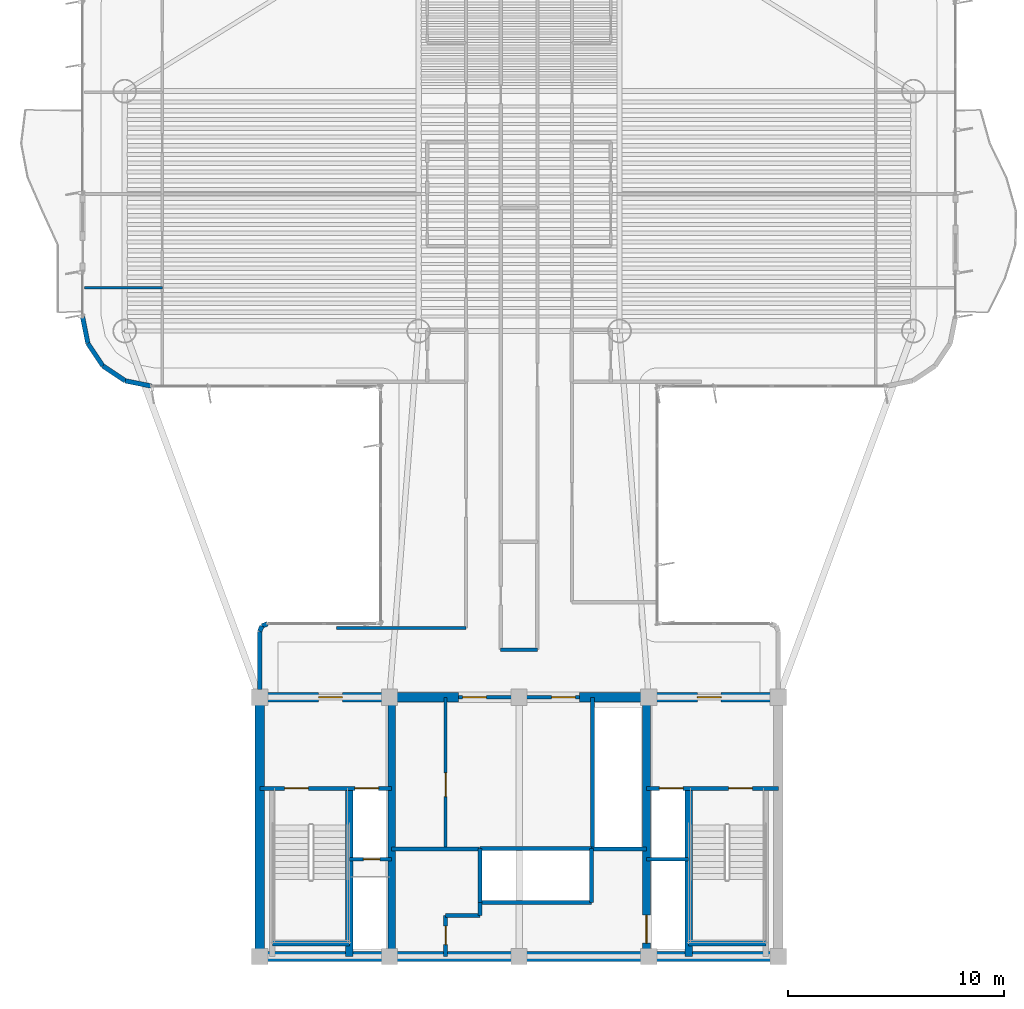
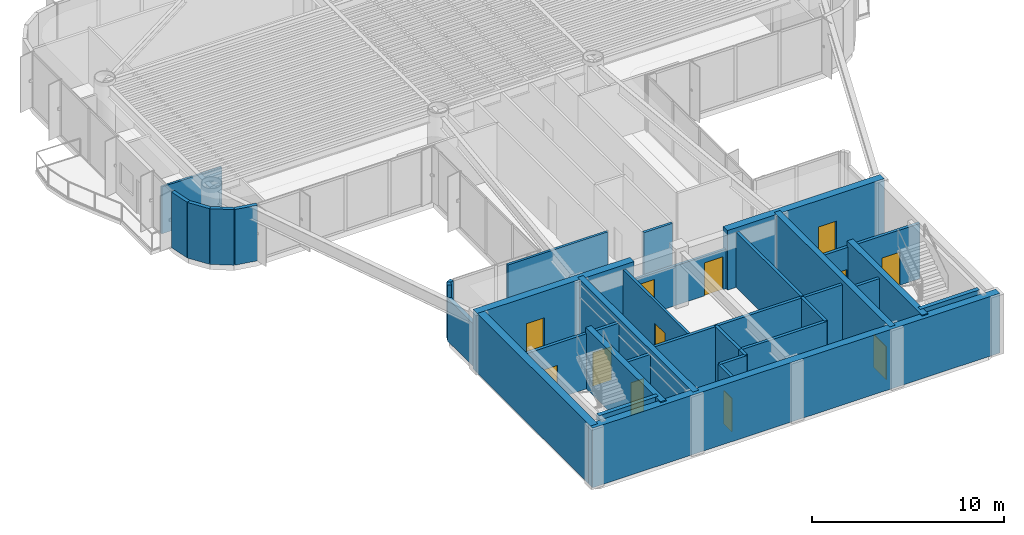
# One storey, part 9 of 15: 36 walls, 12 doors, 12 openings.
"""IFC4 building model written with IfcOpenShell, lengths in metres."""

from ifc_helpers import new_model, si_unit, direction, frame, frame_2d, origin, origin_2d, place, context, subcontext, project, spatial, rectangle, extrude, source, transform, mapped, material, layer, layer_set, type_object, element, fill, save


model = new_model("IFC4")

# Units and contexts
model_context = context("Model", 3, precision=1e-05, world=origin(), true_north=direction((0.0, 1.0)))
body_context = subcontext(model_context, "Body", "Model", "MODEL_VIEW")
ifc_project = project(units=[si_unit("LENGTHUNIT", "METRE"), si_unit("AREAUNIT", "SQUARE_METRE"), si_unit("VOLUMEUNIT", "CUBIC_METRE"), si_unit("PLANEANGLEUNIT", "RADIAN"), si_unit("MASSUNIT", "GRAM", prefix="KILO")], contexts=[model_context])

# Site, building, storey
site_placement = place(None, origin())
site = spatial("IfcSite", under=ifc_project, at=site_placement, CompositionType="ELEMENT")
building_placement = place(site_placement, origin())
building = spatial("IfcBuilding", under=site, at=building_placement, Name="Brelvock Crest Care Tower", CompositionType="ELEMENT")
storey_placement = place(building_placement, frame((0.0, 0.0, 156.419921875)))
storey = spatial("IfcBuildingStorey", under=building, at=storey_placement, Name="L39", CompositionType="ELEMENT", Elevation=156.419921875)

# Walls
ifc_material_1 = material(Name="Concrete S65 (65 MPa)", Category="concrete")
ifc_layer_1 = layer(ifc_material_1, 0.449951171875, Name="WL-CS3")
ifc_layer_set_1 = layer_set([ifc_layer_1], Name="Concrete S65 (65 MPa)")
wall_type_1 = type_object("IfcWallType", Name="WL-CS3", PredefinedType="SHEAR", material=ifc_layer_set_1)
wall_1_placement = place(storey_placement, frame((48.22509765625, 6.0, 0.0), z_axis=(0.0, 0.0, 1.0), x_axis=(-1.0, 0.0, 0.0)))
element("IfcWall", 1, at=wall_1_placement, inside=storey, type_object=wall_type_1, Name="L39 Core South Shear Wall", PredefinedType="SHEAR", context=body_context, shape_type="SweptSolid", body=[
    extrude(rectangle(XDim=24.4501953125, YDim=0.449951171875, at=frame_2d((12.22509765625, 0.0))), origin(), (0.0, 0.0, 1.0), 3.780029296875),
])
wall_2_placement = place(storey_placement, frame((24.0, 6.0, 0.0), z_axis=(0.0, 0.0, 1.0), x_axis=(0.0, 1.0, 0.0)))
element("IfcWall", 2, at=wall_2_placement, inside=storey, type_object=wall_type_1, Name="L39 Core West Shear Wall", PredefinedType="SHEAR", context=body_context, shape_type="SweptSolid", body=[
    extrude(rectangle(XDim=12.0, YDim=0.449951171875, at=frame_2d((6.0, 0.0))), origin(), (0.0, 0.0, 1.0), 3.780029296875),
])

# Wall, opening, door
wall_3_placement = place(storey_placement, frame((23.77490234375, 18.0, 0.0), z_axis=(0.0, 0.0, 1.0), x_axis=(1.0, 0.0, 0.0)))
wall_3 = element("IfcWall", 3, at=wall_3_placement, inside=storey, type_object=wall_type_1, Name="L39 Core North-West Shear Wall", PredefinedType="SHEAR", context=body_context, shape_type="SweptSolid", body=[
    extrude(rectangle(XDim=9.425048828125, YDim=0.449951171875, at=frame_2d((4.71240234375, 0.0))), origin(), (0.0, 0.0, 1.0), 3.780029296875),
])
opening_1_placement = place(wall_3_placement, frame((2.949951171875, 0.0, 0.0)))
opening_1 = element("IfcOpeningElement", 4, at=opening_1_placement, cuts=wall_3, Name="Opening FD-1", PredefinedType="OPENING", context=body_context, shape_type="SweptSolid", body=[
    extrude(rectangle(XDim=1.10009765625, YDim=2.10009765625, at=origin_2d()), frame((0.550048828125, 0.23486328125, 1.050048828125), z_axis=(0.0, -1.0, 0.0), x_axis=(1.0, 0.0, 0.0)), (0.0, 0.0, 1.0), 0.469970703125),
])
ifc_material_2 = material(Name="Steel Grade 350", Category="steel")
door_type_1 = type_object("IfcDoorType", Name="DR-FFL1", OperationType="NOTDEFINED", PredefinedType="DOOR", material=ifc_material_2)
shared_shape_1 = source(origin(), body_context, "Body", "SweptSolid", [
    extrude(rectangle(XDim=1.10009765625, YDim=2.10009765625, at=origin_2d()), frame((0.550048828125, 0.02490234375, 1.050048828125), z_axis=(0.0, -1.0, 0.0), x_axis=(1.0, 0.0, 0.0)), (0.0, 0.0, 1.0), 0.050048828125),
])
door_1_placement = place(opening_1_placement, origin())
door_1 = element("IfcDoor", 5, at=door_1_placement, inside=storey, type_object=door_type_1, Name="L39 Firefighting Lobby FFL-1 Exit Door", OperationType="SINGLE_SWING_LEFT", OverallHeight=2.10009765625, OverallWidth=1.10009765625, PredefinedType="DOOR", context=body_context, shape_type="MappedRepresentation", body=[
    mapped(shared_shape_1, transform((0.0, 0.0, 0.0), x_axis=(1.0, 0.0, 0.0), y_axis=(0.0, 1.0, 0.0), z_axis=(0.0, 0.0, 1.0), scale=1.0)),
])
fill(opening_1, door_1)

wall_4_placement = place(storey_placement, frame((38.800048828125, 18.0, 0.0), z_axis=(0.0, 0.0, 1.0), x_axis=(1.0, 0.0, 0.0)))
wall_4 = element("IfcWall", 6, at=wall_4_placement, inside=storey, type_object=wall_type_1, Name="L39 Core North-East Shear Wall", PredefinedType="SHEAR", context=body_context, shape_type="SweptSolid", body=[
    extrude(rectangle(XDim=9.425048828125, YDim=0.449951171875, at=frame_2d((4.71240234375, 0.0))), origin(), (0.0, 0.0, 1.0), 3.780029296875),
])
opening_2_placement = place(wall_4_placement, frame((5.449951171875, 0.0, 0.0)))
opening_2 = element("IfcOpeningElement", 7, at=opening_2_placement, cuts=wall_4, Name="Opening FD-1", PredefinedType="OPENING", context=body_context, shape_type="SweptSolid", body=[
    extrude(rectangle(XDim=1.10009765625, YDim=2.10009765625, at=origin_2d()), frame((0.550048828125, 0.23486328125, 1.050048828125), z_axis=(0.0, -1.0, 0.0), x_axis=(1.0, 0.0, 0.0)), (0.0, 0.0, 1.0), 0.469970703125),
])
door_2_placement = place(opening_2_placement, origin())
door_2 = element("IfcDoor", 8, at=door_2_placement, inside=storey, type_object=door_type_1, Name="L39 Firefighting Lobby FFL-2 Exit Door", OperationType="SINGLE_SWING_RIGHT", OverallHeight=2.10009765625, OverallWidth=1.10009765625, PredefinedType="DOOR", context=body_context, shape_type="MappedRepresentation", body=[
    mapped(shared_shape_1, transform((0.0, 0.0, 0.0), x_axis=(1.0, 0.0, 0.0), y_axis=(0.0, 1.0, 0.0), z_axis=(0.0, 0.0, 1.0), scale=1.0)),
])
fill(opening_2, door_2)

# Wall
ifc_material_3 = material(Name="Concrete S80 (80 MPa)", Category="concrete")
ifc_layer_2 = layer(ifc_material_3, 0.35009765625, Name="WL-CS5")
ifc_layer_set_2 = layer_set([ifc_layer_2], Name="Concrete S80 (80 MPa)")
wall_type_2 = type_object("IfcWallType", Name="WL-CS5", PredefinedType="SHEAR", material=ifc_layer_set_2)
wall_5_placement = place(storey_placement, frame((30.10009765625, 6.0, 0.0), z_axis=(0.0, 0.0, 1.0), x_axis=(0.0, 1.0, 0.0)))
element("IfcWall", 9, at=wall_5_placement, inside=storey, type_object=wall_type_2, Name="L39 Core Internal Web Wall West", PredefinedType="SHEAR", context=body_context, shape_type="SweptSolid", body=[
    extrude(rectangle(XDim=12.0, YDim=0.35009765625, at=frame_2d((6.0, 0.0))), origin(), (0.0, 0.0, 1.0), 3.780029296875),
])

# Wall, opening, door
wall_6_placement = place(storey_placement, frame((41.89990234375, 18.0, 0.0), z_axis=(0.0, 0.0, 1.0), x_axis=(0.0, -1.0, 0.0)))
wall_6 = element("IfcWall", 10, at=wall_6_placement, inside=storey, type_object=wall_type_2, Name="L39 Core Internal Web Wall East", PredefinedType="SHEAR", context=body_context, shape_type="SweptSolid", body=[
    extrude(rectangle(XDim=12.0, YDim=0.35009765625, at=frame_2d((6.0, 0.0))), origin(), (0.0, 0.0, 1.0), 3.780029296875),
])
opening_3_placement = place(wall_6_placement, frame((10.080078125, 0.0, 0.0)))
opening_3 = element("IfcOpeningElement", 11, at=opening_3_placement, cuts=wall_6, Name="Opening LD-S", PredefinedType="OPENING", context=body_context, shape_type="SweptSolid", body=[
    extrude(rectangle(XDim=1.300048828125, YDim=2.10009765625, at=origin_2d()), frame((0.64990234375, 0.18505859375, 1.050048828125), z_axis=(0.0, -1.0, 0.0), x_axis=(1.0, 0.0, 0.0)), (0.0, 0.0, 1.0), 0.3701171875),
])
door_type_2 = type_object("IfcDoorType", Name="DR-LDS1", OperationType="NOTDEFINED", PredefinedType="DOOR", material=ifc_material_2)
shared_shape_2 = source(origin(), body_context, "Body", "SweptSolid", [
    extrude(rectangle(XDim=1.300048828125, YDim=2.10009765625, at=origin_2d()), frame((0.64990234375, 0.02490234375, 1.050048828125), z_axis=(0.0, -1.0, 0.0), x_axis=(1.0, 0.0, 0.0)), (0.0, 0.0, 1.0), 0.050048828125),
])
door_3_placement = place(opening_3_placement, origin())
door_3 = element("IfcDoor", 12, at=door_3_placement, inside=storey, type_object=door_type_2, Name="L39 Clinical Bed Lift SL-1 Landing Door", OperationType="SLIDING_TO_LEFT", OverallHeight=2.10009765625, OverallWidth=1.300048828125, PredefinedType="DOOR", context=body_context, shape_type="MappedRepresentation", body=[
    mapped(shared_shape_2, transform((0.0, 0.0, 0.0), x_axis=(1.0, 0.0, 0.0), y_axis=(0.0, 1.0, 0.0), z_axis=(0.0, 0.0, 1.0), scale=1.0)),
])
fill(opening_3, door_3)

# Walls
for number, where, z_axis, x_axis, name in (
    (13, (28.14990234375, 6.0, 0.0), (0.0, 0.0, 1.0), (0.0, 1.0, 0.0), "L39 Core Stair ST-1 East Shear Wall"),
    (14, (43.85009765625, 6.0, 0.0), (0.0, 0.0, 1.0), (0.0, 1.0, 0.0), "L39 Core Stair ST-2 West Shear Wall"),
):
    element("IfcWall", number, at=place(storey_placement, frame(where, z_axis=z_axis, x_axis=x_axis)), inside=storey, type_object=wall_type_2, Name=name, PredefinedType="SHEAR", context=body_context, shape_type="SweptSolid", body=[
        extrude(rectangle(XDim=7.780029296875, YDim=0.35009765625, at=frame_2d((3.89013671875, 0.0))), origin(), (0.0, 0.0, 1.0), 3.85009765625),
    ])
ifc_layer_3 = layer(ifc_material_3, 0.25, Name="WL-CS6")
ifc_layer_set_3 = layer_set([ifc_layer_3], Name="Concrete S80 (80 MPa)")
wall_type_3 = type_object("IfcWallType", Name="WL-CS6", PredefinedType="SHEAR", material=ifc_layer_set_3)
for number, where, z_axis, x_axis, name in (
    (15, (24.580078125, 6.6201171875, 0.0), (0.0, 0.0, 1.0), (1.0, 0.0, 0.0), "L39 Core Stair ST-1 South Shear Wall"),
    (16, (43.85009765625, 6.6201171875, 0.0), (0.0, 0.0, 1.0), (1.0, 0.0, 0.0), "L39 Core Stair ST-2 South Shear Wall"),
):
    element("IfcWall", number, at=place(storey_placement, frame(where, z_axis=z_axis, x_axis=x_axis)), inside=storey, type_object=wall_type_3, Name=name, PredefinedType="SHEAR", context=body_context, shape_type="SweptSolid", body=[
        extrude(rectangle(XDim=3.56982421875, YDim=0.25, at=frame_2d((1.784912109375, 0.0))), origin(), (0.0, 0.0, 1.0), 3.85009765625),
    ])
ifc_material_4 = material(Name="Precast concrete N40 (40 MPa)", Category="concrete")
ifc_layer_4 = layer(ifc_material_4, 0.215087890625, Name="WL-EX2")
ifc_layer_set_4 = layer_set([ifc_layer_4], Name="Precast concrete N40 (40 MPa)")
wall_type_4 = type_object("IfcWallType", Name="WL-EX2", PredefinedType="SOLIDWALL", material=ifc_layer_set_4)
wall_7_placement = place(storey_placement, frame((24.0, 18.35498046875, 0.0), z_axis=(0.0, 0.0, 1.0), x_axis=(0.0, 1.0, 0.0)))
element("IfcWall", 17, at=wall_7_placement, inside=storey, type_object=wall_type_4, Name="L39 Rounded Corner Wall 07", PredefinedType="SOLIDWALL", context=body_context, shape_type="SweptSolid", body=[
    extrude(rectangle(XDim=2.695068359375, YDim=0.215087890625, at=frame_2d((1.34765625, 0.0))), origin(), (0.0, 0.0, 1.0), 2.718017578125),
])
wall_8_placement = place(storey_placement, frame((24.0, 21.050048828125, 0.0), z_axis=(0.0, 0.0, 1.0), x_axis=(0.382673670509, 0.923883575944, 0.0)))
element("IfcWall", 18, at=wall_8_placement, inside=storey, type_object=wall_type_4, Name="L39 Rounded Corner Wall 08", PredefinedType="SOLIDWALL", context=body_context, shape_type="SweptSolid", body=[
    extrude(rectangle(XDim=0.26806640625, YDim=0.215087890625, at=frame_2d((0.134033203125, 0.0))), origin(), (0.0, 0.0, 1.0), 3.530029296875),
])
wall_9_placement = place(storey_placement, frame((24.1025390625, 21.297607421875, 0.0), z_axis=(0.0, 0.0, 1.0), x_axis=(0.924205486139, 0.381895560841, 0.0)))
element("IfcWall", 19, at=wall_9_placement, inside=storey, type_object=wall_type_4, Name="L39 Rounded Corner Wall 09", PredefinedType="SOLIDWALL", context=body_context, shape_type="SweptSolid", body=[
    extrude(rectangle(XDim=0.267822265625, YDim=0.215087890625, at=frame_2d((0.1337890625, 0.0))), origin(), (0.0, 0.0, 1.0), 3.530029296875),
])
for number, where, z_axis, x_axis, name in (
    (20, (19.0, 32.39990234375, 0.0), (0.0, 0.0, 1.0), (-0.980775717779, 0.195138390419, 0.0), "L39 Rounded Corner Wall 13"),
    (21, (17.775390625, 32.6435546875, 0.0), (0.0, 0.0, 1.0), (-0.831387912822, 0.555692485475, 0.0), "L39 Rounded Corner Wall 14"),
    (22, (16.7373046875, 33.33740234375, 0.0), (0.0, 0.0, 1.0), (-0.555557312883, 0.831478245117, 0.0), "L39 Rounded Corner Wall 15"),
    (23, (16.043701171875, 34.37548828125, 0.0), (0.0, 0.0, 1.0), (-0.195138390419, 0.980775717779, 0.0), "L39 Rounded Corner Wall 16"),
):
    element("IfcWall", number, at=place(storey_placement, frame(where, z_axis=z_axis, x_axis=x_axis)), inside=storey, type_object=wall_type_4, Name=name, PredefinedType="SOLIDWALL", context=body_context, shape_type="SweptSolid", body=[
        extrude(rectangle(XDim=1.24853515625, YDim=0.215087890625, at=frame_2d((0.624267578125, 0.0))), origin(), (0.0, 0.0, 1.0), 3.530029296875),
    ])

# Wall, opening, door
ifc_material_5 = material(Name="Masonry Blockwork Acoustic Partition", Category="masonry")
ifc_layer_5 = layer(ifc_material_5, 0.14990234375, Name="WL-INT1")
ifc_layer_set_5 = layer_set([ifc_layer_5], Name="Masonry Blockwork Acoustic Partition")
wall_type_5 = type_object("IfcWallType", Name="WL-INT1", PredefinedType="PARTITIONING", material=ifc_layer_set_5)
wall_10_placement = place(storey_placement, frame((32.60009765625, 11.0, 0.0), z_axis=(0.0, 0.0, 1.0), x_axis=(0.0, 1.0, 0.0)))
wall_10 = element("IfcWall", 24, at=wall_10_placement, inside=storey, type_object=wall_type_5, Name="L39 Interior Wall WL-CRCL-E-L39", PredefinedType="PARTITIONING", context=body_context, shape_type="SweptSolid", body=[
    extrude(rectangle(XDim=7.0, YDim=0.14990234375, at=frame_2d((3.5, 0.0))), origin(), (0.0, 0.0, 1.0), 3.5),
])
opening_4_placement = place(wall_10_placement, frame((2.39990234375, 0.0, 0.0)))
opening_4 = element("IfcOpeningElement", 25, at=opening_4_placement, cuts=wall_10, Name="Opening PD-1", PredefinedType="OPENING", context=body_context, shape_type="SweptSolid", body=[
    extrude(rectangle(XDim=1.10009765625, YDim=2.10009765625, at=origin_2d()), frame((0.550048828125, 0.0849609375, 1.050048828125), z_axis=(0.0, -1.0, 0.0), x_axis=(1.0, 0.0, 0.0)), (0.0, 0.0, 1.0), 0.169921875),
])
door_type_3 = type_object("IfcDoorType", Name="DR-PLT1", OperationType="NOTDEFINED", PredefinedType="DOOR", material=ifc_material_2)
shared_shape_3 = source(origin(), body_context, "Body", "SweptSolid", [
    extrude(rectangle(XDim=1.10009765625, YDim=2.10009765625, at=origin_2d()), frame((0.550048828125, 0.02490234375, 1.050048828125), z_axis=(0.0, -1.0, 0.0), x_axis=(1.0, 0.0, 0.0)), (0.0, 0.0, 1.0), 0.050048828125),
])
door_4_placement = place(opening_4_placement, origin())
door_4 = element("IfcDoor", 26, at=door_4_placement, inside=storey, type_object=door_type_3, Name="DR-CRCL1-L39", OperationType="SINGLE_SWING_LEFT", OverallHeight=2.10009765625, OverallWidth=1.10009765625, PredefinedType="DOOR", context=body_context, shape_type="MappedRepresentation", body=[
    mapped(shared_shape_3, transform((0.0, 0.0, 0.0), x_axis=(1.0, 0.0, 0.0), y_axis=(0.0, 1.0, 0.0), z_axis=(0.0, 0.0, 1.0), scale=1.0)),
])
fill(opening_4, door_4)

# Wall, openings, doors
wall_11_placement = place(storey_placement, frame((33.199951171875, 18.0, 0.0), z_axis=(0.0, 0.0, 1.0), x_axis=(1.0, 0.0, 0.0)))
wall_11 = element("IfcWall", 27, at=wall_11_placement, inside=storey, type_object=wall_type_5, Name="L39 Interior Wall WL-CORE-NPORT-L39", PredefinedType="PARTITIONING", context=body_context, shape_type="SweptSolid", body=[
    extrude(rectangle(XDim=5.60009765625, YDim=0.14990234375, at=frame_2d((2.800048828125, 0.0))), origin(), (0.0, 0.0, 1.0), 2.51513671875),
])
opening_5_placement = place(wall_11_placement, frame((0.18994140625, 0.0, 0.0)))
opening_5 = element("IfcOpeningElement", 28, at=opening_5_placement, cuts=wall_11, Name="Opening FD-1", PredefinedType="OPENING", context=body_context, shape_type="SweptSolid", body=[
    extrude(rectangle(XDim=1.10009765625, YDim=2.10009765625, at=origin_2d()), frame((0.550048828125, 0.0849609375, 1.050048828125), z_axis=(0.0, -1.0, 0.0), x_axis=(1.0, 0.0, 0.0)), (0.0, 0.0, 1.0), 0.169921875),
])
opening_6_placement = place(wall_11_placement, frame((4.31005859375, 0.0, 0.0)))
opening_6 = element("IfcOpeningElement", 29, at=opening_6_placement, cuts=wall_11, Name="Opening FD-1", PredefinedType="OPENING", context=body_context, shape_type="SweptSolid", body=[
    extrude(rectangle(XDim=1.10009765625, YDim=2.10009765625, at=origin_2d()), frame((0.550048828125, 0.0849609375, 1.050048828125), z_axis=(0.0, -1.0, 0.0), x_axis=(1.0, 0.0, 0.0)), (0.0, 0.0, 1.0), 0.169921875),
])
door_5_placement = place(opening_5_placement, origin())
door_5 = element("IfcDoor", 30, at=door_5_placement, inside=storey, type_object=door_type_1, Name="L39 Lift Lobby North Smoke Door West", OperationType="SINGLE_SWING_LEFT", OverallHeight=2.10009765625, OverallWidth=1.10009765625, PredefinedType="DOOR", context=body_context, shape_type="MappedRepresentation", body=[
    mapped(shared_shape_1, transform((0.0, 0.0, 0.0), x_axis=(1.0, 0.0, 0.0), y_axis=(0.0, 1.0, 0.0), z_axis=(0.0, 0.0, 1.0), scale=1.0)),
])
fill(opening_5, door_5)
door_6_placement = place(opening_6_placement, origin())
door_6 = element("IfcDoor", 31, at=door_6_placement, inside=storey, type_object=door_type_1, Name="L39 Lift Lobby North Smoke Door East", OperationType="SINGLE_SWING_RIGHT", OverallHeight=2.10009765625, OverallWidth=1.10009765625, PredefinedType="DOOR", context=body_context, shape_type="MappedRepresentation", body=[
    mapped(shared_shape_1, transform((0.0, 0.0, 0.0), x_axis=(1.0, 0.0, 0.0), y_axis=(0.0, 1.0, 0.0), z_axis=(0.0, 0.0, 1.0), scale=1.0)),
])
fill(opening_6, door_6)

# Walls
wall_12_placement = place(storey_placement, frame((27.5576171875, 21.199951171875, 0.0), z_axis=(0.0, 0.0, 1.0), x_axis=(1.0, 0.0, 0.0)))
element("IfcWall", 32, at=wall_12_placement, inside=storey, type_object=wall_type_5, Name="L39 Interior Wall WL-BX-L39-THRW-S", PredefinedType="PARTITIONING", context=body_context, shape_type="SweptSolid", body=[
    extrude(rectangle(XDim=5.992431640625, YDim=0.14990234375, at=frame_2d((2.99609375, 0.0))), origin(), (0.0, 0.0, 1.0), 3.5),
])
ifc_material_6 = material(Name="Gypsum Plasterboard Partition", Category="gypsum")
ifc_layer_6 = layer(ifc_material_6, 0.1201171875, Name="WL-INT2")
ifc_layer_set_6 = layer_set([ifc_layer_6], Name="Gypsum Plasterboard Partition")
wall_type_6 = type_object("IfcWallType", Name="WL-INT2", PredefinedType="PARTITIONING", material=ifc_layer_set_6)
wall_13_placement = place(storey_placement, frame((15.8798828125, 36.944091796875, 0.0), z_axis=(0.0, 0.0, 1.0), x_axis=(1.0, 0.0, 0.0)))
element("IfcWall", 33, at=wall_13_placement, inside=storey, type_object=wall_type_6, Name="L39 Interior Wall WL-UBSP-L39-WF1", PredefinedType="PARTITIONING", context=body_context, shape_type="SweptSolid", body=[
    extrude(rectangle(XDim=3.610107421875, YDim=0.1201171875, at=frame_2d((1.80517578125, 0.0))), origin(), (0.0, 0.0, 1.0), 2.982177734375),
])
ifc_layer_7 = layer(ifc_material_6, 0.159912109375, Name="WL-PLM1")
ifc_layer_set_7 = layer_set([ifc_layer_7], Name="Gypsum Plasterboard Partition")
wall_type_7 = type_object("IfcWallType", Name="WL-PLM1", PredefinedType="PLUMBINGWALL", material=ifc_layer_set_7)
wall_14_placement = place(storey_placement, frame((35.14990234375, 20.199951171875, 0.0), z_axis=(0.0, 0.0, 1.0), x_axis=(1.0, 0.0, 0.0)))
element("IfcWall", 34, at=wall_14_placement, inside=storey, type_object=wall_type_7, Name="L39 Interior Wall WL-BX-L39-ISWC-S", PredefinedType="PLUMBINGWALL", context=body_context, shape_type="SweptSolid", body=[
    extrude(rectangle(XDim=1.7001953125, YDim=0.159912109375, at=frame_2d((0.85009765625, 0.0))), origin(), (0.0, 0.0, 1.0), 3.5),
])
ifc_layer_8 = layer(ifc_material_5, 0.179931640625, Name="WL-SHF1")
ifc_layer_set_8 = layer_set([ifc_layer_8], Name="Masonry Blockwork Acoustic Partition")
wall_type_8 = type_object("IfcWallType", Name="WL-SHF1", PredefinedType="PARTITIONING", material=ifc_layer_set_8)
for number, where, z_axis, x_axis, name in (
    (35, (34.199951171875, 11.0, 0.0), (0.0, 0.0, 1.0), (1.0, 0.0, 0.0), "L39 Interior Wall WL-PLM-SHF-L39"),
    (36, (34.199951171875, 8.5, 0.0), (0.0, 0.0, 1.0), (1.0, 0.0, 0.0), "L39 Interior Wall WL-PLM-S-L39"),
):
    element("IfcWall", number, at=place(storey_placement, frame(where, z_axis=z_axis, x_axis=x_axis)), inside=storey, type_object=wall_type_8, Name=name, PredefinedType="PARTITIONING", context=body_context, shape_type="SweptSolid", body=[
        extrude(rectangle(XDim=5.150146484375, YDim=0.179931640625, at=frame_2d((2.5751953125, 0.0))), origin(), (0.0, 0.0, 1.0), 3.5),
    ])
for number, where, z_axis, x_axis, name in (
    (37, (34.199951171875, 8.5, 0.0), (0.0, 0.0, 1.0), (0.0, 1.0, 0.0), "L39 Interior Wall WL-PLM-W-L39"),
    (38, (39.35009765625, 8.5, 0.0), (0.0, 0.0, 1.0), (0.0, 1.0, 0.0), "L39 Interior Wall WL-PLM-E-L39"),
):
    element("IfcWall", number, at=place(storey_placement, frame(where, z_axis=z_axis, x_axis=x_axis)), inside=storey, type_object=wall_type_8, Name=name, PredefinedType="PARTITIONING", context=body_context, shape_type="SweptSolid", body=[
        extrude(rectangle(XDim=2.5, YDim=0.179931640625, at=frame_2d((1.25, 0.0))), origin(), (0.0, 0.0, 1.0), 3.5),
    ])
wall_15_placement = place(storey_placement, frame((39.39990234375, 11.0, 0.0), z_axis=(0.0, 0.0, 1.0), x_axis=(0.0, 1.0, 0.0)))
element("IfcWall", 39, at=wall_15_placement, inside=storey, type_object=wall_type_8, Name="L39 Interior Wall WL-PLH-SHF-L39", PredefinedType="PARTITIONING", context=body_context, shape_type="SweptSolid", body=[
    extrude(rectangle(XDim=7.0, YDim=0.179931640625, at=frame_2d((3.5, 0.0))), origin(), (0.0, 0.0, 1.0), 3.5),
])
wall_16_placement = place(storey_placement, frame((30.10009765625, 10.97998046875, 0.0), z_axis=(0.0, 0.0, 1.0), x_axis=(1.0, 0.0, 0.0)))
element("IfcWall", 40, at=wall_16_placement, inside=storey, type_object=wall_type_8, Name="L39 Interior Wall WL-CSBW-N-L39", PredefinedType="PARTITIONING", context=body_context, shape_type="SweptSolid", body=[
    extrude(rectangle(XDim=4.079833984375, YDim=0.179931640625, at=frame_2d((2.0400390625, 0.0))), origin(), (0.0, 0.0, 1.0), 3.5),
])
wall_17_placement = place(storey_placement, frame((34.199951171875, 7.89990234375, 0.0), z_axis=(0.0, 0.0, 1.0), x_axis=(0.0, 1.0, 0.0)))
element("IfcWall", 41, at=wall_17_placement, inside=storey, type_object=wall_type_8, Name="L39 Interior Wall WL-CSBW-E2-L39", PredefinedType="PARTITIONING", context=body_context, shape_type="SweptSolid", body=[
    extrude(rectangle(XDim=0.60009765625, YDim=0.179931640625, at=frame_2d((0.300048828125, 0.0))), origin(), (0.0, 0.0, 1.0), 3.5),
])
wall_18_placement = place(storey_placement, frame((32.60009765625, 7.89990234375, 0.0), z_axis=(0.0, 0.0, 1.0), x_axis=(1.0, 0.0, 0.0)))
element("IfcWall", 42, at=wall_18_placement, inside=storey, type_object=wall_type_8, Name="L39 Interior Wall WL-CSBW-S2-L39", PredefinedType="PARTITIONING", context=body_context, shape_type="SweptSolid", body=[
    extrude(rectangle(XDim=1.599853515625, YDim=0.179931640625, at=frame_2d((0.7998046875, 0.0))), origin(), (0.0, 0.0, 1.0), 3.5),
])

# Wall, opening, door
wall_19_placement = place(storey_placement, frame((32.60009765625, 6.0, 0.0), z_axis=(0.0, 0.0, 1.0), x_axis=(0.0, 1.0, 0.0)))
wall_19 = element("IfcWall", 43, at=wall_19_placement, inside=storey, type_object=wall_type_8, Name="L39 Interior Wall WL-CSBW-E1-L39", PredefinedType="PARTITIONING", context=body_context, shape_type="SweptSolid", body=[
    extrude(rectangle(XDim=1.89990234375, YDim=0.179931640625, at=frame_2d((0.949951171875, 0.0))), origin(), (0.0, 0.0, 1.0), 3.5),
])
opening_7_placement = place(wall_19_placement, frame((0.550048828125, 0.0, 0.0)))
opening_7 = element("IfcOpeningElement", 44, at=opening_7_placement, cuts=wall_19, Name="Opening ID-1", PredefinedType="OPENING", context=body_context, shape_type="SweptSolid", body=[
    extrude(rectangle(XDim=0.860107421875, YDim=2.10009765625, at=origin_2d()), frame((0.43017578125, 0.10009765625, 1.050048828125), z_axis=(0.0, -1.0, 0.0), x_axis=(1.0, 0.0, 0.0)), (0.0, 0.0, 1.0), 0.199951171875),
])
ifc_material_7 = material(Name="Engineered Hardwood Timber", Category="wood")
door_type_4 = type_object("IfcDoorType", Name="DR-INT1", OperationType="NOTDEFINED", PredefinedType="DOOR", material=ifc_material_7)
shared_shape_4 = source(origin(), body_context, "Body", "SweptSolid", [
    extrude(rectangle(XDim=0.860107421875, YDim=2.10009765625, at=origin_2d()), frame((0.43017578125, 0.02490234375, 1.050048828125), z_axis=(0.0, -1.0, 0.0), x_axis=(1.0, 0.0, 0.0)), (0.0, 0.0, 1.0), 0.050048828125),
])
door_7_placement = place(opening_7_placement, origin())
door_7 = element("IfcDoor", 45, at=door_7_placement, inside=storey, type_object=door_type_4, Name="DR-CSBW-L39", OperationType="SINGLE_SWING_LEFT", OverallHeight=2.10009765625, OverallWidth=0.860107421875, PredefinedType="DOOR", context=body_context, shape_type="MappedRepresentation", body=[
    mapped(shared_shape_4, transform((0.0, 0.0, 0.0), x_axis=(1.0, 0.0, 0.0), y_axis=(0.0, 1.0, 0.0), z_axis=(0.0, 0.0, 1.0), scale=1.0)),
])
fill(opening_7, door_7)

# Wall
wall_20_placement = place(storey_placement, frame((39.35009765625, 10.97998046875, 0.0), z_axis=(0.0, 0.0, 1.0), x_axis=(1.0, 0.0, 0.0)))
element("IfcWall", 46, at=wall_20_placement, inside=storey, type_object=wall_type_8, Name="L39 Interior Wall WL-CSBE-N-L39", PredefinedType="PARTITIONING", context=body_context, shape_type="SweptSolid", body=[
    extrude(rectangle(XDim=2.5498046875, YDim=0.179931640625, at=frame_2d((1.27490234375, 0.0))), origin(), (0.0, 0.0, 1.0), 3.5),
])

# Wall, openings, doors
wall_21_placement = place(storey_placement, frame((24.0, 13.780029296875, 0.0), z_axis=(0.0, 0.0, 1.0), x_axis=(1.0, 0.0, 0.0)))
wall_21 = element("IfcWall", 47, at=wall_21_placement, inside=storey, type_object=wall_type_8, Name="L39 Interior Wall WL-ST1-N-L39", PredefinedType="PARTITIONING", context=body_context, shape_type="SweptSolid", body=[
    extrude(rectangle(XDim=6.10009765625, YDim=0.179931640625, at=frame_2d((3.050048828125, 0.0))), origin(), (0.0, 0.0, 1.0), 3.5),
])
opening_8_placement = place(wall_21_placement, frame((1.14990234375, 0.0, 0.0)))
opening_8 = element("IfcOpeningElement", 48, at=opening_8_placement, cuts=wall_21, Name="Opening SD-1", PredefinedType="OPENING", context=body_context, shape_type="SweptSolid", body=[
    extrude(rectangle(XDim=1.10009765625, YDim=2.10009765625, at=origin_2d()), frame((0.550048828125, 0.10009765625, 1.050048828125), z_axis=(0.0, -1.0, 0.0), x_axis=(1.0, 0.0, 0.0)), (0.0, 0.0, 1.0), 0.199951171875),
])
opening_9_placement = place(wall_21_placement, frame((4.39990234375, 0.0, 0.0)))
opening_9 = element("IfcOpeningElement", 49, at=opening_9_placement, cuts=wall_21, Name="Opening LD", PredefinedType="OPENING", context=body_context, shape_type="SweptSolid", body=[
    extrude(rectangle(XDim=1.10009765625, YDim=2.10009765625, at=origin_2d()), frame((0.550048828125, 0.10009765625, 1.050048828125), z_axis=(0.0, -1.0, 0.0), x_axis=(1.0, 0.0, 0.0)), (0.0, 0.0, 1.0), 0.199951171875),
])
door_type_5 = type_object("IfcDoorType", Name="DR-ST1", OperationType="NOTDEFINED", PredefinedType="DOOR", material=ifc_material_2)
shared_shape_5 = source(origin(), body_context, "Body", "SweptSolid", [
    extrude(rectangle(XDim=1.10009765625, YDim=2.10009765625, at=origin_2d()), frame((0.550048828125, 0.02490234375, 1.050048828125), z_axis=(0.0, -1.0, 0.0), x_axis=(1.0, 0.0, 0.0)), (0.0, 0.0, 1.0), 0.050048828125),
])
door_8_placement = place(opening_8_placement, origin())
door_8 = element("IfcDoor", 50, at=door_8_placement, inside=storey, type_object=door_type_5, Name="L39 Fire Stair ST-1 Door", OperationType="SINGLE_SWING_LEFT", OverallHeight=2.10009765625, OverallWidth=1.10009765625, PredefinedType="DOOR", context=body_context, shape_type="MappedRepresentation", body=[
    mapped(shared_shape_5, transform((0.0, 0.0, 0.0), x_axis=(1.0, 0.0, 0.0), y_axis=(0.0, 1.0, 0.0), z_axis=(0.0, 0.0, 1.0), scale=1.0)),
])
fill(opening_8, door_8)
door_type_6 = type_object("IfcDoorType", Name="DR-LD1", OperationType="NOTDEFINED", PredefinedType="DOOR", material=ifc_material_2)
shared_shape_6 = source(origin(), body_context, "Body", "SweptSolid", [
    extrude(rectangle(XDim=1.10009765625, YDim=2.10009765625, at=origin_2d()), frame((0.550048828125, 0.02490234375, 1.050048828125), z_axis=(0.0, -1.0, 0.0), x_axis=(1.0, 0.0, 0.0)), (0.0, 0.0, 1.0), 0.050048828125),
])
door_9_placement = place(opening_9_placement, origin())
door_9 = element("IfcDoor", 51, at=door_9_placement, inside=storey, type_object=door_type_6, Name="L39 Firefighting Lift FFL-1 Landing Door", OperationType="SLIDING_TO_LEFT", OverallHeight=2.10009765625, OverallWidth=1.10009765625, PredefinedType="DOOR", context=body_context, shape_type="MappedRepresentation", body=[
    mapped(shared_shape_6, transform((0.0, 0.0, 0.0), x_axis=(1.0, 0.0, 0.0), y_axis=(0.0, 1.0, 0.0), z_axis=(0.0, 0.0, 1.0), scale=1.0)),
])
fill(opening_9, door_9)

# Wall, opening, door
wall_22_placement = place(storey_placement, frame((28.14990234375, 10.5, 0.0), z_axis=(0.0, 0.0, 1.0), x_axis=(1.0, 0.0, 0.0)))
wall_22 = element("IfcWall", 52, at=wall_22_placement, inside=storey, type_object=wall_type_8, Name="L39 Interior Wall WL-FFH1-S-L39", PredefinedType="PARTITIONING", context=body_context, shape_type="SweptSolid", body=[
    extrude(rectangle(XDim=1.9501953125, YDim=0.179931640625, at=frame_2d((0.97509765625, 0.0))), origin(), (0.0, 0.0, 1.0), 3.5),
])
opening_10_placement = place(wall_22_placement, frame((0.64990234375, 0.0, 0.0)))
opening_10 = element("IfcOpeningElement", 53, at=opening_10_placement, cuts=wall_22, Name="Opening RD-1", PredefinedType="OPENING", context=body_context, shape_type="SweptSolid", body=[
    extrude(rectangle(XDim=0.760009765625, YDim=2.050048828125, at=origin_2d()), frame((0.3798828125, 0.10009765625, 1.02490234375), z_axis=(0.0, -1.0, 0.0), x_axis=(1.0, 0.0, 0.0)), (0.0, 0.0, 1.0), 0.199951171875),
])
door_type_7 = type_object("IfcDoorType", Name="DR-RIS1", OperationType="NOTDEFINED", PredefinedType="DOOR", material=ifc_material_2)
shared_shape_7 = source(origin(), body_context, "Body", "SweptSolid", [
    extrude(rectangle(XDim=0.760009765625, YDim=2.050048828125, at=origin_2d()), frame((0.3798828125, 0.02490234375, 1.02490234375), z_axis=(0.0, -1.0, 0.0), x_axis=(1.0, 0.0, 0.0)), (0.0, 0.0, 1.0), 0.050048828125),
])
door_10_placement = place(opening_10_placement, origin())
door_10 = element("IfcDoor", 54, at=door_10_placement, inside=storey, type_object=door_type_7, Name="L39 Wet Fire Riser Access Door", OperationType="SINGLE_SWING_LEFT", OverallHeight=2.050048828125, OverallWidth=0.760009765625, PredefinedType="DOOR", context=body_context, shape_type="MappedRepresentation", body=[
    mapped(shared_shape_7, transform((0.0, 0.0, 0.0), x_axis=(1.0, 0.0, 0.0), y_axis=(0.0, 1.0, 0.0), z_axis=(0.0, 0.0, 1.0), scale=1.0)),
])
fill(opening_10, door_10)

# Wall, openings, doors
wall_23_placement = place(storey_placement, frame((41.89990234375, 13.780029296875, 0.0), z_axis=(0.0, 0.0, 1.0), x_axis=(1.0, 0.0, 0.0)))
wall_23 = element("IfcWall", 55, at=wall_23_placement, inside=storey, type_object=wall_type_8, Name="L39 Interior Wall WL-ST2-N-L39", PredefinedType="PARTITIONING", context=body_context, shape_type="SweptSolid", body=[
    extrude(rectangle(XDim=6.10009765625, YDim=0.179931640625, at=frame_2d((3.050048828125, 0.0))), origin(), (0.0, 0.0, 1.0), 3.5),
])
opening_11_placement = place(wall_23_placement, frame((0.60009765625, 0.0, 0.0)))
opening_11 = element("IfcOpeningElement", 56, at=opening_11_placement, cuts=wall_23, Name="Opening LD", PredefinedType="OPENING", context=body_context, shape_type="SweptSolid", body=[
    extrude(rectangle(XDim=1.10009765625, YDim=2.10009765625, at=origin_2d()), frame((0.550048828125, 0.10009765625, 1.050048828125), z_axis=(0.0, -1.0, 0.0), x_axis=(1.0, 0.0, 0.0)), (0.0, 0.0, 1.0), 0.199951171875),
])
opening_12_placement = place(wall_23_placement, frame((3.800048828125, 0.0, 0.0)))
opening_12 = element("IfcOpeningElement", 57, at=opening_12_placement, cuts=wall_23, Name="Opening SD-1", PredefinedType="OPENING", context=body_context, shape_type="SweptSolid", body=[
    extrude(rectangle(XDim=1.10009765625, YDim=2.10009765625, at=origin_2d()), frame((0.550048828125, 0.10009765625, 1.050048828125), z_axis=(0.0, -1.0, 0.0), x_axis=(1.0, 0.0, 0.0)), (0.0, 0.0, 1.0), 0.199951171875),
])
door_11_placement = place(opening_12_placement, origin())
door_11 = element("IfcDoor", 58, at=door_11_placement, inside=storey, type_object=door_type_5, Name="L39 Fire Stair ST-2 Door", OperationType="SINGLE_SWING_RIGHT", OverallHeight=2.10009765625, OverallWidth=1.10009765625, PredefinedType="DOOR", context=body_context, shape_type="MappedRepresentation", body=[
    mapped(shared_shape_5, transform((0.0, 0.0, 0.0), x_axis=(1.0, 0.0, 0.0), y_axis=(0.0, 1.0, 0.0), z_axis=(0.0, 0.0, 1.0), scale=1.0)),
])
fill(opening_12, door_11)
door_12_placement = place(opening_11_placement, origin())
door_12 = element("IfcDoor", 59, at=door_12_placement, inside=storey, type_object=door_type_6, Name="L39 Firefighting Lift FFL-2 Landing Door", OperationType="SLIDING_TO_RIGHT", OverallHeight=2.10009765625, OverallWidth=1.10009765625, PredefinedType="DOOR", context=body_context, shape_type="MappedRepresentation", body=[
    mapped(shared_shape_6, transform((0.0, 0.0, 0.0), x_axis=(1.0, 0.0, 0.0), y_axis=(0.0, 1.0, 0.0), z_axis=(0.0, 0.0, 1.0), scale=1.0)),
])
fill(opening_11, door_12)

# Wall
wall_24_placement = place(storey_placement, frame((41.89990234375, 10.5, 0.0), z_axis=(0.0, 0.0, 1.0), x_axis=(1.0, 0.0, 0.0)))
element("IfcWall", 60, at=wall_24_placement, inside=storey, type_object=wall_type_8, Name="L39 Interior Wall WL-FFH2-S-L39", PredefinedType="PARTITIONING", context=body_context, shape_type="SweptSolid", body=[
    extrude(rectangle(XDim=1.9501953125, YDim=0.179931640625, at=frame_2d((0.97509765625, 0.0))), origin(), (0.0, 0.0, 1.0), 3.5),
])

save(model, "model.ifc")
